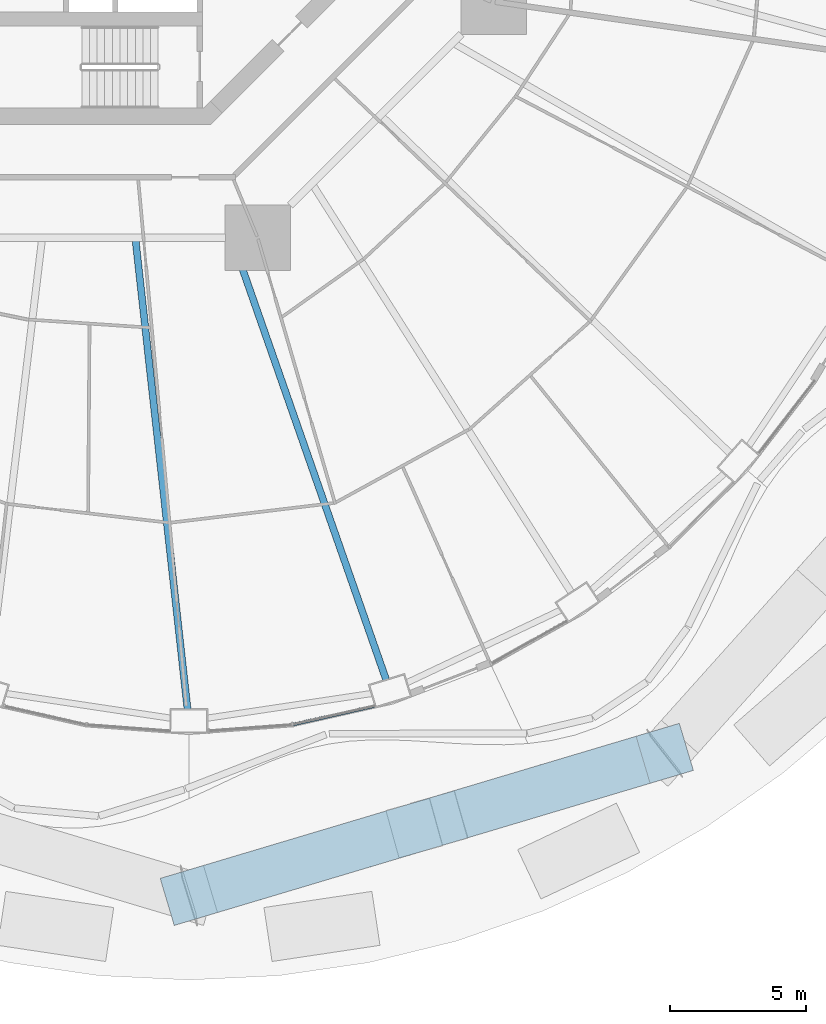
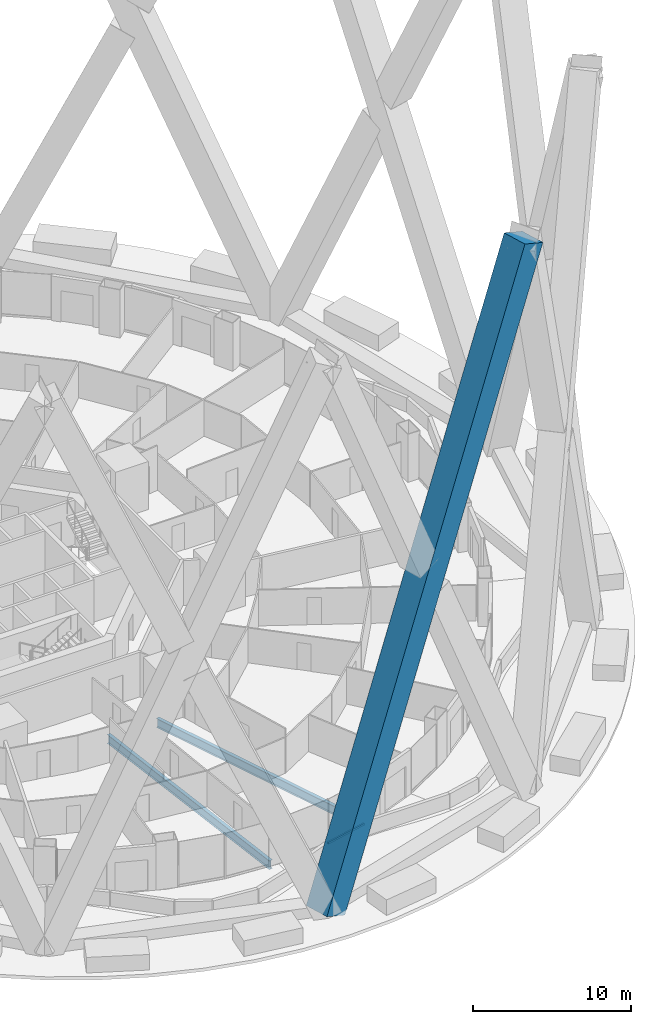
# One storey, part 9 of 42: 2 beams, 2 members, 1 element without a shape of its own.
"""IFC4 building model written with IfcOpenShell, lengths in metres."""

import ifcopenshell
import ifcopenshell.guid

model = None  # the IFC model being written
_history = None  # IfcOwnerHistory: only IFC2X3 demands one
_inside = {}  # id of a spatial element -> (the spatial element, [elements in it])
_under = {}  # id of a project, library or spatial element -> (it, [spatial elements below it])
_declared = {}  # id of a project -> (the project, [libraries it declares])
_typed = {}  # id of a type object -> (the type object, [elements of that type])
_made_of = {}  # id of a material, layer set ... -> (it, [elements and type objects made of it])


def new_model(schema):
    """Start an empty IFC model of exactly this schema.

    Asked for "IFC4X3", IfcOpenShell would pick the latest addendum, in which some entities
    have other attributes; the version numbers below select the first issue.
    IFC2X3 requires an IfcOwnerHistory on every rooted entity: one is made here for all.
    """
    global model, _history
    if schema == "IFC4X3":
        model = ifcopenshell.file(schema_version=(4, 3, 0, 0))
    else:
        model = ifcopenshell.file(schema=schema)
    _inside.clear()
    _under.clear()
    _declared.clear()
    _typed.clear()
    _made_of.clear()
    _history = None
    if model.schema == "IFC2X3":
        org = make("IfcOrganization", Name="unknown")
        user = make(
            "IfcPersonAndOrganization",
            ThePerson=make("IfcPerson", FamilyName="unknown"),
            TheOrganization=org,
        )
        app = make(
            "IfcApplication",
            ApplicationDeveloper=org,
            Version="unknown",
            ApplicationFullName="unknown",
            ApplicationIdentifier="unknown",
        )
        _history = make(
            "IfcOwnerHistory",
            OwningUser=user,
            OwningApplication=app,
            ChangeAction="ADDED",
            CreationDate=0,
        )
    return model


def make(cls, **values):
    """One entity of the class cls with the attributes given. An attribute that is None is left unset."""
    return model.create_entity(
        cls, **{name: value for name, value in values.items() if value is not None}
    )


def rooted(cls, **values):
    """An entity with a GlobalId (a new one), such as an element, a storey or a relation."""
    return make(cls, GlobalId=ifcopenshell.guid.new(), OwnerHistory=_history, **values)


def si_unit(unit_type, name, prefix=None):
    """IfcSIUnit, for example si_unit("LENGTHUNIT", "METRE", prefix="MILLI")."""
    return make("IfcSIUnit", UnitType=unit_type, Prefix=prefix, Name=name)


def assignment(units):
    """IfcUnitAssignment: the units of a project."""
    return None if units is None else make("IfcUnitAssignment", Units=units)


def point(xyz):
    """IfcCartesianPoint."""
    return None if xyz is None else make("IfcCartesianPoint", Coordinates=xyz)


def direction(xyz):
    """IfcDirection."""
    return None if xyz is None else make("IfcDirection", DirectionRatios=xyz)


def frame(location, z_axis=None, x_axis=None):
    """IfcAxis2Placement3D, a coordinate frame: its origin and axes. An axis left out is left unset."""
    return make(
        "IfcAxis2Placement3D",
        Location=point(location),
        Axis=direction(z_axis),
        RefDirection=direction(x_axis),
    )


def frame_2d(location, x_axis=None):
    """IfcAxis2Placement2D, a coordinate frame in the plane: its origin and x axis."""
    return make(
        "IfcAxis2Placement2D", Location=point(location), RefDirection=direction(x_axis)
    )


def origin():
    """The frame at (0, 0, 0) with its axes left unset."""
    return frame((0.0, 0.0, 0.0))


def origin_2d():
    """The frame at (0, 0) in the plane with its x axis left unset."""
    return frame_2d((0.0, 0.0))


def place(relative_to, where):
    """IfcLocalPlacement: puts the frame where relative to a parent placement (None: the world)."""
    return make(
        "IfcLocalPlacement", PlacementRelTo=relative_to, RelativePlacement=where
    )


def context(
    kind, dimensions, precision=None, world=None, true_north=None, identifier=None
):
    """IfcGeometricRepresentationContext, for example the 3D "Model" context."""
    return make(
        "IfcGeometricRepresentationContext",
        ContextIdentifier=identifier,
        ContextType=kind,
        CoordinateSpaceDimension=dimensions,
        Precision=precision,
        WorldCoordinateSystem=world,
        TrueNorth=true_north,
    )


def subcontext(parent, identifier, kind, view, scale=None):
    """IfcGeometricRepresentationSubContext, for example "Body" below "Model"."""
    return make(
        "IfcGeometricRepresentationSubContext",
        ContextIdentifier=identifier,
        ContextType=kind,
        ParentContext=parent,
        TargetScale=scale,
        TargetView=view,
    )


def project(units=None, contexts=None):
    """IfcProject with its units and contexts."""
    return rooted(
        "IfcProject",
        Name="project",
        RepresentationContexts=contexts,
        UnitsInContext=assignment(units),
    )


def spatial(cls, under=None, at=None, **own):
    """A site, building, storey or space (cls), placed at a placement, below another one or the project."""
    s = rooted(cls, ObjectPlacement=at, **own)
    if under is not None:
        _under.setdefault(under.id(), (under, []))[1].append(s)
    return s


def profile(cls, at=None, kind="AREA", **sizes):
    """A parametric profile (cls). Its sizes go by their IFC names, for example OverallWidth=200.0."""
    return make(cls, ProfileType=kind, Position=at, **sizes)


def rectangle(**sizes):
    """IfcRectangleProfileDef."""
    return profile("IfcRectangleProfileDef", **sizes)


def i_section(**sizes):
    """IfcIShapeProfileDef."""
    return profile("IfcIShapeProfileDef", **sizes)


def extrude(swept, where, along, depth):
    """IfcExtrudedAreaSolid: the profile swept, set in the frame where, extruded along a direction by depth."""
    return make(
        "IfcExtrudedAreaSolid",
        SweptArea=swept,
        Position=where,
        ExtrudedDirection=direction(along),
        Depth=depth,
    )


def shape(context_of_items, identifier, shape_type, items):
    """IfcShapeRepresentation: the items that make up one representation, for example the "Body"."""
    return make(
        "IfcShapeRepresentation",
        ContextOfItems=context_of_items,
        RepresentationIdentifier=identifier,
        RepresentationType=shape_type,
        Items=items,
    )


def material(Name=None, Category=None):
    """IfcMaterial."""
    return make("IfcMaterial", Name=Name, Category=Category)


def layer(
    of_material, thickness, ventilated=None, Name=None, Category=None, Priority=None
):
    """IfcMaterialLayer: one layer of a wall or slab, of a material (None: an air gap)."""
    return make(
        "IfcMaterialLayer",
        Material=of_material,
        LayerThickness=thickness,
        IsVentilated=ventilated,
        Name=Name,
        Category=Category,
        Priority=Priority,
    )


def layer_set(layers, Name=None):
    """IfcMaterialLayerSet."""
    return make("IfcMaterialLayerSet", MaterialLayers=layers, LayerSetName=Name)


def material_profile(
    of_material, cross_section, Name=None, Category=None, Priority=None
):
    """IfcMaterialProfile: a cross section and its material."""
    return make(
        "IfcMaterialProfile",
        Name=Name,
        Material=of_material,
        Profile=cross_section,
        Priority=Priority,
        Category=Category,
    )


def profile_set(profiles, Name=None, composite=None):
    """IfcMaterialProfileSet."""
    return make(
        "IfcMaterialProfileSet",
        Name=Name,
        MaterialProfiles=profiles,
        CompositeProfile=composite,
    )


def made_of(thing, what):
    """Note that an element or type object is made of a material, layer set ...; save() writes the relation."""
    if what is not None:
        _made_of.setdefault(what.id(), (what, []))[1].append(thing)
    return thing


def type_object(cls, material=None, **own):
    """A type object (cls), such as IfcWallType, which elements share."""
    return made_of(rooted(cls, **own), material)


def element(
    cls,
    number,
    at=None,
    inside=None,
    cuts=None,
    type_object=None,
    material=None,
    context=None,
    identifier="Body",
    shape_type=None,
    held_by="IfcProductDefinitionShape",
    body=None,
    shapes=None,
    **own,
):
    """One element of the class cls, such as IfcWall. Its Tag is "e" and its number.

    at: its placement. inside: the storey or other place that contains it. cuts: it is an
    opening in that element (IfcRelVoidsElement). A single representation is given by context,
    identifier, shape_type and body (its items); several are given by shapes. held_by: the class
    of the entity that holds the representations. save() writes the other relations.
    """
    e = rooted(cls, Tag="e%d" % number, ObjectPlacement=at, **own)
    if body is not None:
        shapes = [shape(context, identifier, shape_type, body)]
    if shapes is not None:
        e.Representation = make(held_by, Representations=shapes)
    if inside is not None:
        _inside.setdefault(inside.id(), (inside, []))[1].append(e)
    if cuts is not None:
        rooted(
            "IfcRelVoidsElement", RelatingBuildingElement=cuts, RelatedOpeningElement=e
        )
    if type_object is not None:
        _typed.setdefault(type_object.id(), (type_object, []))[1].append(e)
    return made_of(e, material)


def aggregate(whole, parts):
    """IfcRelAggregates: a whole, such as a stair, and the parts it consists of."""
    return rooted("IfcRelAggregates", RelatingObject=whole, RelatedObjects=parts)


def save(model, path):
    """Write the relations noted so far, then the file.

    IfcRelAggregates (storeys below a building ...), IfcRelContainedInSpatialStructure (elements
    in a storey), IfcRelDefinesByType, IfcRelAssociatesMaterial and IfcRelDeclares: one each for
    every whole, place, type object, material and project.
    """
    for whole, parts in _under.values():
        aggregate(whole, parts)
    for where, things in _inside.values():
        rooted(
            "IfcRelContainedInSpatialStructure",
            RelatedElements=things,
            RelatingStructure=where,
        )
    for kind, things in _typed.values():
        rooted("IfcRelDefinesByType", RelatedObjects=things, RelatingType=kind)
    for what, things in _made_of.values():
        rooted("IfcRelAssociatesMaterial", RelatedObjects=things, RelatingMaterial=what)
    for by, libraries in _declared.values():
        rooted("IfcRelDeclares", RelatingContext=by, RelatedDefinitions=libraries)
    model.write(path)


model = new_model("IFC4")

# Units and contexts
model_context = context("Model", 3, precision=1e-05, world=origin(), true_north=direction((0.0, 1.0)))
body_context = subcontext(model_context, "Body", "Model", "MODEL_VIEW")
ifc_project = project(units=[si_unit("LENGTHUNIT", "METRE"), si_unit("AREAUNIT", "SQUARE_METRE"), si_unit("VOLUMEUNIT", "CUBIC_METRE"), si_unit("PLANEANGLEUNIT", "RADIAN"), si_unit("MASSUNIT", "GRAM", prefix="KILO")], contexts=[model_context])

# Site, building, storey
site_placement = place(None, origin())
site = spatial("IfcSite", under=ifc_project, at=site_placement, CompositionType="ELEMENT")
building_placement = place(site_placement, origin())
building = spatial("IfcBuilding", under=site, at=building_placement, Name="Nagisa Residences", CompositionType="ELEMENT")
storey_placement = place(building_placement, frame((0.0, 0.0, 27.0)))
storey = spatial("IfcBuildingStorey", under=building, at=storey_placement, Name="L05", CompositionType="ELEMENT", Elevation=27.0)

# Curtain wall, member
ifc_material_1 = material(Name="Concrete-coloured aluminium curtain wall system", Category="concrete")
ifc_layer = layer(ifc_material_1, 0.159912109375)
ifc_layer_set = layer_set([ifc_layer], Name="CW1 CURTAIN WALL")
curtain_wall_type = type_object("IfcCurtainWallType", Name="CW1 CURTAIN WALL", PredefinedType="NOTDEFINED", material=ifc_layer_set)
curtain_wall_placement = place(storey_placement, origin())
curtain_wall = element("IfcCurtainWall", 1, at=curtain_wall_placement, inside=storey, type_object=curtain_wall_type, Name="cw:CW1:L05:37", PredefinedType="NOTDEFINED")
ifc_material_2 = material(Name="Concrete-coloured aluminium", Category="concrete")
ifc_material_profile_1 = material_profile(ifc_material_2, rectangle(XDim=0.1201171875, YDim=0.14990234375, at=origin_2d()), Name="CW1 TRANSOM 120x150")
ifc_profile_set_1 = profile_set([ifc_material_profile_1], Name="Concrete-coloured aluminium")
member_type_1 = type_object("IfcMemberType", Name="CW1 TRANSOM 120x150", PredefinedType="USERDEFINED", material=ifc_profile_set_1)
member_1_placement = place(storey_placement, frame((7.36767578125, -32.6396484375, 0.074951171875), z_axis=(0.975331134677, 0.220746863466, 0.0), x_axis=(-0.220746863466, 0.975331134677, 0.0)))
member_1 = element("IfcMember", 2, at=member_1_placement, type_object=member_type_1, Name="CW1 transom", ObjectType="TRANSOM", PredefinedType="USERDEFINED", context=body_context, shape_type="SweptSolid", body=[
    extrude(rectangle(XDim=0.1201171875, YDim=0.14990234375, at=origin_2d()), origin(), (0.0, 0.0, 1.0), 3.114501953125),
])
aggregate(curtain_wall, [member_1])

# Member
ifc_material_3 = material(Name="Concrete C80", Category="concrete")
ifc_material_profile_2 = material_profile(ifc_material_3, rectangle(XDim=1.800048828125, YDim=1.800048828125, at=origin_2d()), Name="C80 1800x1800")
ifc_profile_set_2 = profile_set([ifc_material_profile_2], Name="Concrete C80")
member_type_2 = type_object("IfcMemberType", Name="Cage diagonal 1 C80 1800x1800", PredefinedType="BRACE", material=ifc_profile_set_2)
member_2_placement = place(storey_placement, frame((3.60009765625, -38.89990234375, 0.0), z_axis=(0.376648329814, 0.11248597759, 0.919501463019), x_axis=(-0.286160818673, 0.958181603798, 0.0)))
element("IfcMember", 3, at=member_2_placement, inside=storey, type_object=member_type_2, Name="mem:L05:cg1d119", PredefinedType="BRACE", context=body_context, shape_type="SweptSolid", body=[
    extrude(rectangle(XDim=1.800048828125, YDim=1.800048828125, at=origin_2d()), origin(), (0.0, 0.0, 1.0), 46.32958984375),
])

# Beams
ifc_material_4 = material(Name="Steel ASTM A572 Gr 50", Category="steel")
ifc_material_profile_3 = material_profile(ifc_material_4, i_section(OverallWidth=0.25390625, OverallDepth=0.68408203125, WebThickness=0.012451171875, FlangeThickness=0.018798828125, at=origin_2d()), Name="W690x140")
ifc_profile_set_3 = profile_set([ifc_material_profile_3], Name="Steel ASTM A572 Gr 50")
beam_type = type_object("IfcBeamType", Name="Radial beam W690x140", PredefinedType="BEAM", material=ifc_profile_set_3)
beam_1_placement = place(storey_placement, frame((3.55224609375, -32.06982421875, -0.60205078125), z_axis=(-0.110088818647, 0.993921753464, 0.0), x_axis=(-0.993921753464, -0.110088818647, 0.0)))
element("IfcBeam", 4, at=beam_1_placement, inside=storey, type_object=beam_type, Name="beam:L05:rb19", PredefinedType="BEAM", context=body_context, shape_type="SweptSolid", body=[
    extrude(i_section(OverallWidth=0.25390625, OverallDepth=0.68408203125, WebThickness=0.012451171875, FlangeThickness=0.018798828125, at=origin_2d()), origin(), (0.0, 0.0, 1.0), 17.280029296875),
])
beam_2_placement = place(storey_placement, frame((10.834228515625, -30.986328125, -0.60205078125), z_axis=(-0.330051195485, 0.943963033364, 0.0), x_axis=(-0.943963033364, -0.330051195485, 0.0)))
element("IfcBeam", 5, at=beam_2_placement, inside=storey, type_object=beam_type, Name="beam:L05:rb20", PredefinedType="BEAM", context=body_context, shape_type="SweptSolid", body=[
    extrude(i_section(OverallWidth=0.25390625, OverallDepth=0.68408203125, WebThickness=0.012451171875, FlangeThickness=0.018798828125, at=origin_2d()), origin(), (0.0, 0.0, 1.0), 17.045654296875),
])

save(model, "model.ifc")
